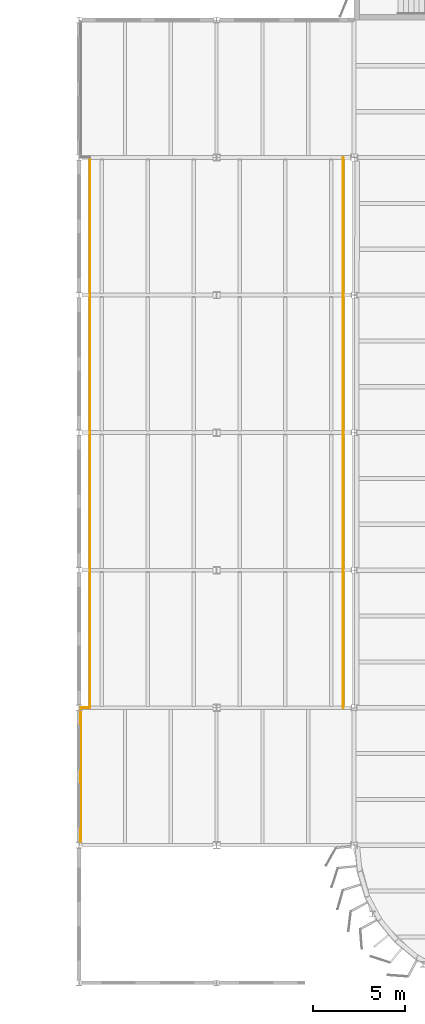
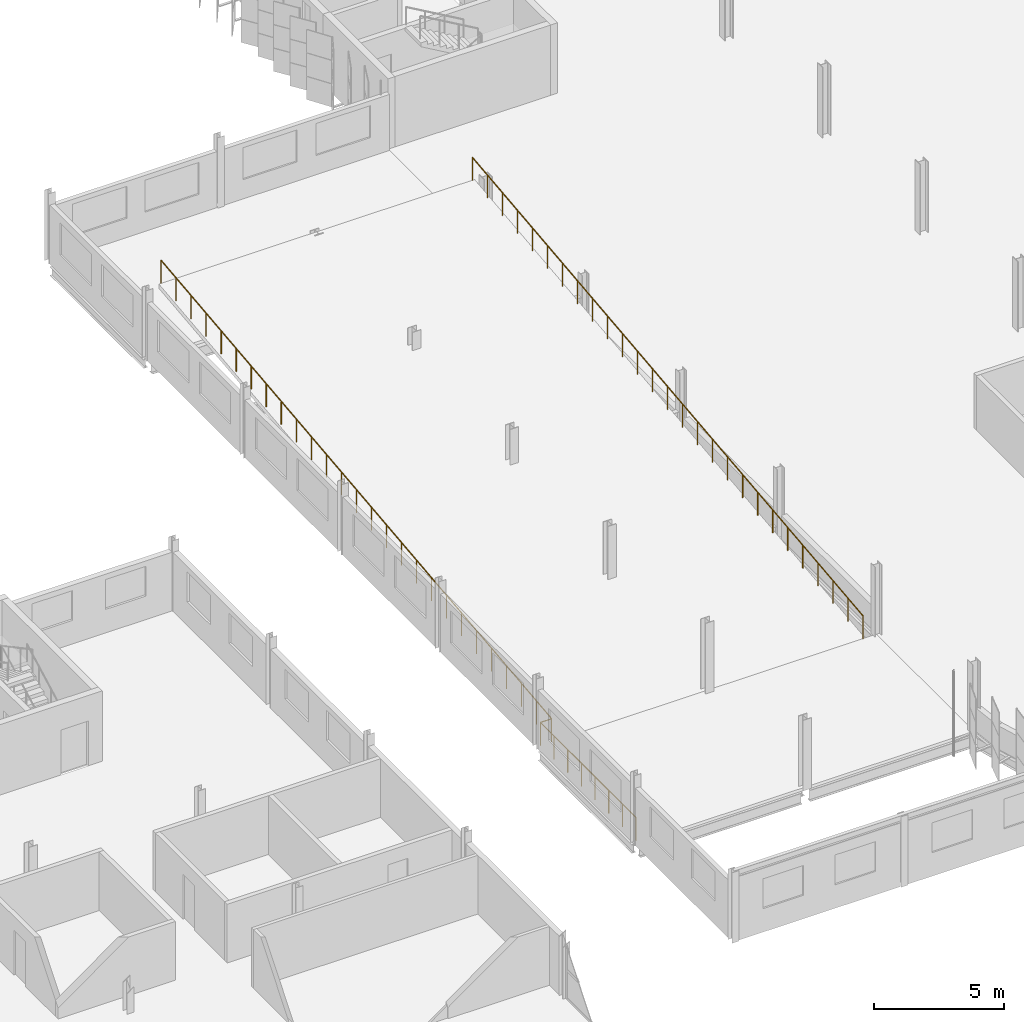
# One storey, part 203 of 214: 3 railings.
"""IFC4 building model written with IfcOpenShell, lengths in metres."""

from ifc_helpers import new_model, si_unit, direction, frame, origin, origin_2d, place, context, subcontext, project, spatial, circle, extrude, material, type_object, element, save


model = new_model("IFC4")

# Units and contexts
model_context = context("Model", 3, precision=1e-05, world=origin(), true_north=direction((0.0, 1.0)))
body_context = subcontext(model_context, "Body", "Model", "MODEL_VIEW")
ifc_project = project(units=[si_unit("LENGTHUNIT", "METRE"), si_unit("AREAUNIT", "SQUARE_METRE"), si_unit("VOLUMEUNIT", "CUBIC_METRE"), si_unit("PLANEANGLEUNIT", "RADIAN"), si_unit("MASSUNIT", "GRAM", prefix="KILO")], contexts=[model_context])

# Site, building, storey
site_placement = place(None, origin())
site = spatial("IfcSite", under=ifc_project, at=site_placement, CompositionType="ELEMENT")
building_placement = place(site_placement, origin())
building = spatial("IfcBuilding", under=site, at=building_placement, Name="Parallax Yard Mobility Hub", CompositionType="ELEMENT")
storey_placement = place(building_placement, frame((0.0, 0.0, 3.300048828125)))
storey = spatial("IfcBuildingStorey", under=building, at=storey_placement, Name="L01", CompositionType="ELEMENT", Elevation=3.300048828125)

# Railings
ifc_material = material(Name="Steel ASTM A36", Category="steel")
railing_type_1 = type_object("IfcRailingType", Name="Landing edge guard 1100", PredefinedType="GUARDRAIL", material=ifc_material)
railing_1_placement = place(storey_placement, frame((180.10009765625, 30.153564453125, 0.0)))
element("IfcRailing", 1, at=railing_1_placement, inside=storey, type_object=railing_type_1, Name="Ramp house south landing west edge guard level L01", PredefinedType="GUARDRAIL", context=body_context, shape_type="SweptSolid", body=[
    extrude(circle(Radius=0.02392578125, at=origin_2d()), frame((0.0, 0.0, 1.076171875), z_axis=(0.0, 1.0, 0.0), x_axis=(-1.0, 0.0, 0.0)), (0.0, 0.0, 1.0), 7.346435546875),
    extrude(circle(Radius=0.02392578125, at=origin_2d()), frame((0.0, 7.346435546875, 1.076171875), z_axis=(1.0, 0.0, 0.0), x_axis=(0.0, 1.0, 0.0)), (0.0, 0.0, 1.0), 0.5),
    extrude(circle(Radius=0.02099609375, at=origin_2d()), origin(), (0.0, 0.0, 1.0), 1.052001953125),
    extrude(circle(Radius=0.02099609375, at=origin_2d()), frame((0.0, 1.049560546875, 0.0)), (0.0, 0.0, 1.0), 1.052001953125),
    extrude(circle(Radius=0.02099609375, at=origin_2d()), frame((0.0, 2.098876953125, 0.0)), (0.0, 0.0, 1.0), 1.052001953125),
    extrude(circle(Radius=0.02099609375, at=origin_2d()), frame((0.0, 3.1484375, 0.0)), (0.0, 0.0, 1.0), 1.052001953125),
    extrude(circle(Radius=0.02099609375, at=origin_2d()), frame((0.0, 4.197998046875, 0.0)), (0.0, 0.0, 1.0), 1.052001953125),
    extrude(circle(Radius=0.02099609375, at=origin_2d()), frame((0.0, 5.24755859375, 0.0)), (0.0, 0.0, 1.0), 1.052001953125),
    extrude(circle(Radius=0.02099609375, at=origin_2d()), frame((0.0, 6.296875, 0.0)), (0.0, 0.0, 1.0), 1.052001953125),
    extrude(circle(Radius=0.02099609375, at=origin_2d()), frame((0.0, 7.346435546875, 0.0)), (0.0, 0.0, 1.0), 1.052001953125),
    extrude(circle(Radius=0.02099609375, at=origin_2d()), frame((0.5, 7.346435546875, 0.0)), (0.0, 0.0, 1.0), 1.052001953125),
])
railing_type_2 = type_object("IfcRailingType", Name="Ramp guard 1100", PredefinedType="GUARDRAIL", material=ifc_material)
railing_2_placement = place(storey_placement, frame((180.60009765625, 37.5, 0.0)))
element("IfcRailing", 2, at=railing_2_placement, inside=storey, type_object=railing_type_2, Name="Ramp RP2 west guard", PredefinedType="GUARDRAIL", context=body_context, shape_type="SweptSolid", body=[
    extrude(circle(Radius=0.02392578125, at=origin_2d()), frame((0.0, 0.0, 1.076171875), z_axis=(0.0, 0.994004180099, 0.109342077656), x_axis=(-1.0, 0.0, 0.0)), (0.0, 0.0, 1.0), 30.180908203125),
    extrude(circle(Radius=0.02099609375, at=origin_2d()), origin(), (0.0, 0.0, 1.0), 1.052001953125),
    extrude(circle(Radius=0.02099609375, at=origin_2d()), frame((0.0, 1.15380859375, 0.126953125)), (0.0, 0.0, 1.0), 1.052001953125),
    extrude(circle(Radius=0.02099609375, at=origin_2d()), frame((0.0, 2.3076171875, 0.25390625)), (0.0, 0.0, 1.0), 1.052001953125),
    extrude(circle(Radius=0.02099609375, at=origin_2d()), frame((0.0, 3.46142578125, 0.380859375)), (0.0, 0.0, 1.0), 1.052001953125),
    extrude(circle(Radius=0.02099609375, at=origin_2d()), frame((0.0, 4.615478515625, 0.5078125)), (0.0, 0.0, 1.0), 1.052001953125),
    extrude(circle(Radius=0.02099609375, at=origin_2d()), frame((0.0, 5.769287109375, 0.634521484375)), (0.0, 0.0, 1.0), 1.052001953125),
    extrude(circle(Radius=0.02099609375, at=origin_2d()), frame((0.0, 6.923095703125, 0.761474609375)), (0.0, 0.0, 1.0), 1.052001953125),
    extrude(circle(Radius=0.02099609375, at=origin_2d()), frame((0.0, 8.076904296875, 0.888427734375)), (0.0, 0.0, 1.0), 1.052001953125),
    extrude(circle(Radius=0.02099609375, at=origin_2d()), frame((0.0, 9.230712890625, 1.015380859375)), (0.0, 0.0, 1.0), 1.052001953125),
    extrude(circle(Radius=0.02099609375, at=origin_2d()), frame((0.0, 10.384521484375, 1.142333984375)), (0.0, 0.0, 1.0), 1.052001953125),
    extrude(circle(Radius=0.02099609375, at=origin_2d()), frame((0.0, 11.53857421875, 1.269287109375)), (0.0, 0.0, 1.0), 1.052001953125),
    extrude(circle(Radius=0.02099609375, at=origin_2d()), frame((0.0, 12.6923828125, 1.396240234375)), (0.0, 0.0, 1.0), 1.052001953125),
    extrude(circle(Radius=0.02099609375, at=origin_2d()), frame((0.0, 13.84619140625, 1.523193359375)), (0.0, 0.0, 1.0), 1.052001953125),
    extrude(circle(Radius=0.02099609375, at=origin_2d()), frame((0.0, 15.0, 1.64990234375)), (0.0, 0.0, 1.0), 1.052001953125),
    extrude(circle(Radius=0.02099609375, at=origin_2d()), frame((0.0, 16.15380859375, 1.77685546875)), (0.0, 0.0, 1.0), 1.052001953125),
    extrude(circle(Radius=0.02099609375, at=origin_2d()), frame((0.0, 17.3076171875, 1.90380859375)), (0.0, 0.0, 1.0), 1.052001953125),
    extrude(circle(Radius=0.02099609375, at=origin_2d()), frame((0.0, 18.46142578125, 2.03076171875)), (0.0, 0.0, 1.0), 1.052001953125),
    extrude(circle(Radius=0.02099609375, at=origin_2d()), frame((0.0, 19.615478515625, 2.15771484375)), (0.0, 0.0, 1.0), 1.052001953125),
    extrude(circle(Radius=0.02099609375, at=origin_2d()), frame((0.0, 20.769287109375, 2.28466796875)), (0.0, 0.0, 1.0), 1.052001953125),
    extrude(circle(Radius=0.02099609375, at=origin_2d()), frame((0.0, 21.923095703125, 2.41162109375)), (0.0, 0.0, 1.0), 1.052001953125),
    extrude(circle(Radius=0.02099609375, at=origin_2d()), frame((0.0, 23.076904296875, 2.53857421875)), (0.0, 0.0, 1.0), 1.052001953125),
    extrude(circle(Radius=0.02099609375, at=origin_2d()), frame((0.0, 24.230712890625, 2.66552734375)), (0.0, 0.0, 1.0), 1.052001953125),
    extrude(circle(Radius=0.02099609375, at=origin_2d()), frame((0.0, 25.384521484375, 2.792236328125)), (0.0, 0.0, 1.0), 1.052001953125),
    extrude(circle(Radius=0.02099609375, at=origin_2d()), frame((0.0, 26.53857421875, 2.919189453125)), (0.0, 0.0, 1.0), 1.052001953125),
    extrude(circle(Radius=0.02099609375, at=origin_2d()), frame((0.0, 27.6923828125, 3.046142578125)), (0.0, 0.0, 1.0), 1.052001953125),
    extrude(circle(Radius=0.02099609375, at=origin_2d()), frame((0.0, 28.84619140625, 3.173095703125)), (0.0, 0.0, 1.0), 1.052001953125),
    extrude(circle(Radius=0.02099609375, at=origin_2d()), frame((0.0, 30.0, 3.300048828125)), (0.0, 0.0, 1.0), 1.052001953125),
])
railing_3_placement = place(storey_placement, frame((194.39990234375, 37.5, 0.0)))
element("IfcRailing", 3, at=railing_3_placement, inside=storey, type_object=railing_type_2, Name="Ramp RP2 east guard", PredefinedType="GUARDRAIL", context=body_context, shape_type="SweptSolid", body=[
    extrude(circle(Radius=0.02392578125, at=origin_2d()), frame((0.0, 0.0, 1.076171875), z_axis=(0.0, 0.994004180099, 0.109342077656), x_axis=(-1.0, 0.0, 0.0)), (0.0, 0.0, 1.0), 30.180908203125),
    extrude(circle(Radius=0.02099609375, at=origin_2d()), origin(), (0.0, 0.0, 1.0), 1.052001953125),
    extrude(circle(Radius=0.02099609375, at=origin_2d()), frame((0.0, 1.15380859375, 0.126953125)), (0.0, 0.0, 1.0), 1.052001953125),
    extrude(circle(Radius=0.02099609375, at=origin_2d()), frame((0.0, 2.3076171875, 0.25390625)), (0.0, 0.0, 1.0), 1.052001953125),
    extrude(circle(Radius=0.02099609375, at=origin_2d()), frame((0.0, 3.46142578125, 0.380859375)), (0.0, 0.0, 1.0), 1.052001953125),
    extrude(circle(Radius=0.02099609375, at=origin_2d()), frame((0.0, 4.615478515625, 0.5078125)), (0.0, 0.0, 1.0), 1.052001953125),
    extrude(circle(Radius=0.02099609375, at=origin_2d()), frame((0.0, 5.769287109375, 0.634521484375)), (0.0, 0.0, 1.0), 1.052001953125),
    extrude(circle(Radius=0.02099609375, at=origin_2d()), frame((0.0, 6.923095703125, 0.761474609375)), (0.0, 0.0, 1.0), 1.052001953125),
    extrude(circle(Radius=0.02099609375, at=origin_2d()), frame((0.0, 8.076904296875, 0.888427734375)), (0.0, 0.0, 1.0), 1.052001953125),
    extrude(circle(Radius=0.02099609375, at=origin_2d()), frame((0.0, 9.230712890625, 1.015380859375)), (0.0, 0.0, 1.0), 1.052001953125),
    extrude(circle(Radius=0.02099609375, at=origin_2d()), frame((0.0, 10.384521484375, 1.142333984375)), (0.0, 0.0, 1.0), 1.052001953125),
    extrude(circle(Radius=0.02099609375, at=origin_2d()), frame((0.0, 11.53857421875, 1.269287109375)), (0.0, 0.0, 1.0), 1.052001953125),
    extrude(circle(Radius=0.02099609375, at=origin_2d()), frame((0.0, 12.6923828125, 1.396240234375)), (0.0, 0.0, 1.0), 1.052001953125),
    extrude(circle(Radius=0.02099609375, at=origin_2d()), frame((0.0, 13.84619140625, 1.523193359375)), (0.0, 0.0, 1.0), 1.052001953125),
    extrude(circle(Radius=0.02099609375, at=origin_2d()), frame((0.0, 15.0, 1.64990234375)), (0.0, 0.0, 1.0), 1.052001953125),
    extrude(circle(Radius=0.02099609375, at=origin_2d()), frame((0.0, 16.15380859375, 1.77685546875)), (0.0, 0.0, 1.0), 1.052001953125),
    extrude(circle(Radius=0.02099609375, at=origin_2d()), frame((0.0, 17.3076171875, 1.90380859375)), (0.0, 0.0, 1.0), 1.052001953125),
    extrude(circle(Radius=0.02099609375, at=origin_2d()), frame((0.0, 18.46142578125, 2.03076171875)), (0.0, 0.0, 1.0), 1.052001953125),
    extrude(circle(Radius=0.02099609375, at=origin_2d()), frame((0.0, 19.615478515625, 2.15771484375)), (0.0, 0.0, 1.0), 1.052001953125),
    extrude(circle(Radius=0.02099609375, at=origin_2d()), frame((0.0, 20.769287109375, 2.28466796875)), (0.0, 0.0, 1.0), 1.052001953125),
    extrude(circle(Radius=0.02099609375, at=origin_2d()), frame((0.0, 21.923095703125, 2.41162109375)), (0.0, 0.0, 1.0), 1.052001953125),
    extrude(circle(Radius=0.02099609375, at=origin_2d()), frame((0.0, 23.076904296875, 2.53857421875)), (0.0, 0.0, 1.0), 1.052001953125),
    extrude(circle(Radius=0.02099609375, at=origin_2d()), frame((0.0, 24.230712890625, 2.66552734375)), (0.0, 0.0, 1.0), 1.052001953125),
    extrude(circle(Radius=0.02099609375, at=origin_2d()), frame((0.0, 25.384521484375, 2.792236328125)), (0.0, 0.0, 1.0), 1.052001953125),
    extrude(circle(Radius=0.02099609375, at=origin_2d()), frame((0.0, 26.53857421875, 2.919189453125)), (0.0, 0.0, 1.0), 1.052001953125),
    extrude(circle(Radius=0.02099609375, at=origin_2d()), frame((0.0, 27.6923828125, 3.046142578125)), (0.0, 0.0, 1.0), 1.052001953125),
    extrude(circle(Radius=0.02099609375, at=origin_2d()), frame((0.0, 28.84619140625, 3.173095703125)), (0.0, 0.0, 1.0), 1.052001953125),
    extrude(circle(Radius=0.02099609375, at=origin_2d()), frame((0.0, 30.0, 3.300048828125)), (0.0, 0.0, 1.0), 1.052001953125),
])

save(model, "model.ifc")
